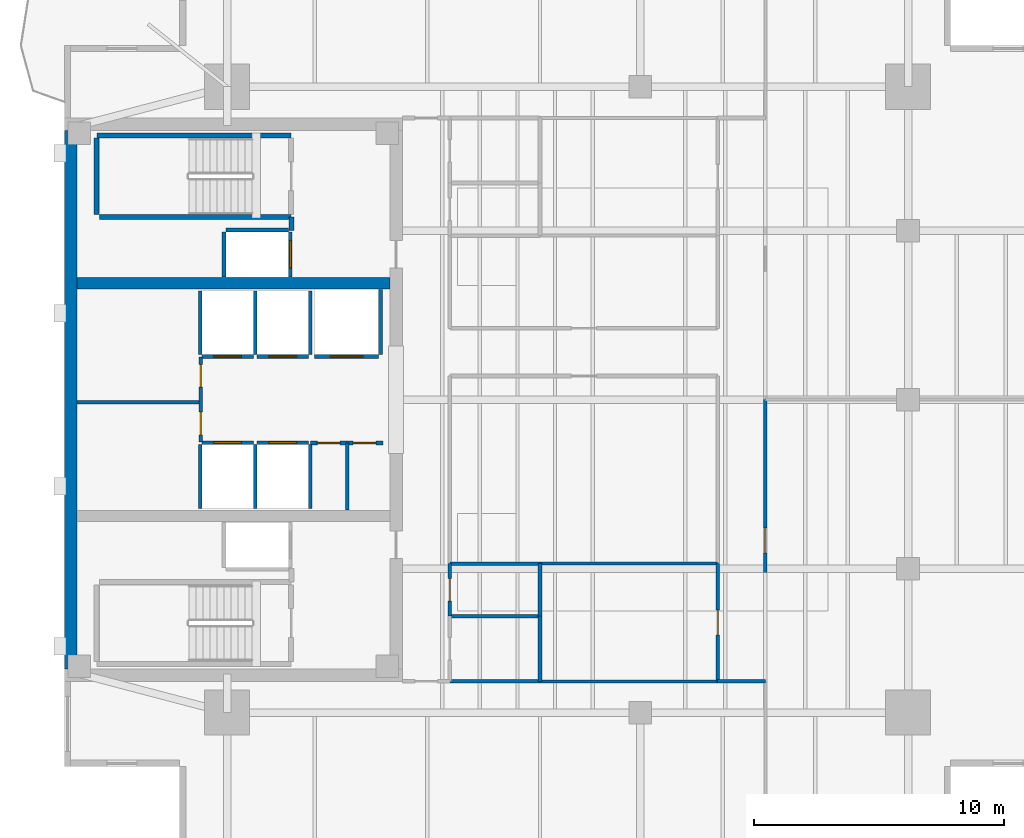
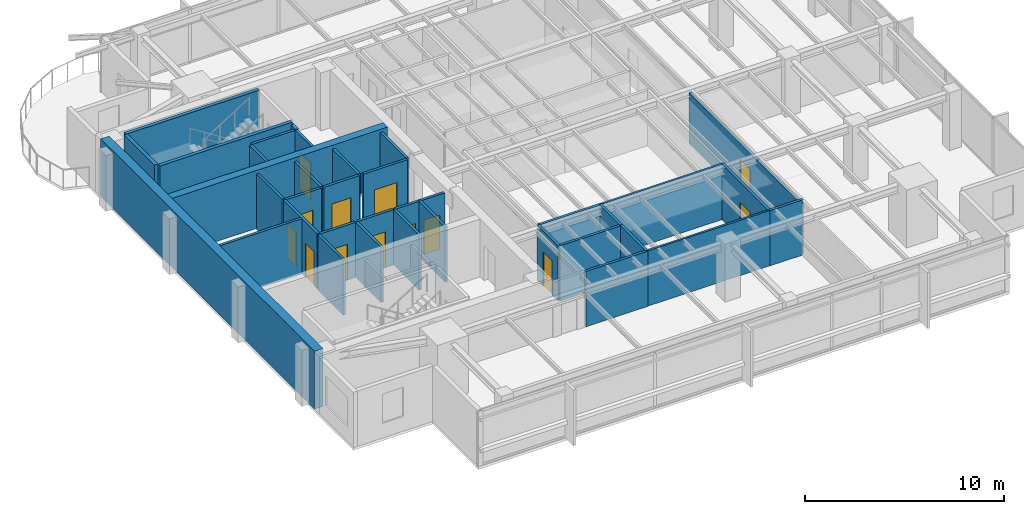
# One storey, part 8 of 14: 36 walls, 13 doors, 13 openings.
"""IFC4 building model written with IfcOpenShell, lengths in metres."""

from ifc_helpers import new_model, si_unit, direction, frame, frame_2d, origin, place, context, subcontext, project, spatial, rectangle, extrude, material, layer, layer_set, type_object, element, fill, save


model = new_model("IFC4")

# Units and contexts
model_context = context("Model", 3, precision=1e-05, world=origin(), true_north=direction((0.0, 1.0)))
body_context = subcontext(model_context, "Body", "Model", "MODEL_VIEW")
ifc_project = project(units=[si_unit("LENGTHUNIT", "METRE"), si_unit("AREAUNIT", "SQUARE_METRE"), si_unit("VOLUMEUNIT", "CUBIC_METRE"), si_unit("PLANEANGLEUNIT", "RADIAN"), si_unit("MASSUNIT", "GRAM", prefix="KILO")], contexts=[model_context])

# Site, building, storey
site_placement = place(None, origin())
site = spatial("IfcSite", under=ifc_project, at=site_placement, CompositionType="ELEMENT")
building_placement = place(site_placement, origin())
building = spatial("IfcBuilding", under=site, at=building_placement, Name="Kinhvarn Gate Tower", CompositionType="ELEMENT")
storey_placement = place(building_placement, frame((0.0, 0.0, 267.0)))
storey = spatial("IfcBuildingStorey", under=building, at=storey_placement, Name="L71", CompositionType="ELEMENT", Elevation=267.0)

# Walls
ifc_material_1 = material(Name="Concrete C50/60", Category="concrete")
ifc_layer_1 = layer(ifc_material_1, 0.449951171875)
ifc_layer_set_1 = layer_set([ifc_layer_1], Name="Concrete C50/60")
wall_type_1 = type_object("IfcWallType", Name="WL-CORE-450", PredefinedType="SHEAR", material=ifc_layer_set_1)
wall_1_placement = place(storey_placement, frame((5.0, 29.89990234375, 0.0), z_axis=(0.0, 0.0, 1.0), x_axis=(1.0, 0.0, 0.0)))
element("IfcWall", 1, at=wall_1_placement, inside=storey, type_object=wall_type_1, Name="Core North Spine Shear Wall L71 450 mm", PredefinedType="SHEAR", context=body_context, shape_type="SweptSolid", body=[
    extrude(rectangle(XDim=12.5, YDim=0.449951171875, at=frame_2d((6.25, 0.0))), origin(), (0.0, 0.0, 1.0), 3.550048828125),
])
ifc_layer_2 = layer(ifc_material_1, 0.5)
ifc_layer_set_2 = layer_set([ifc_layer_2], Name="Concrete C50/60")
wall_type_2 = type_object("IfcWallType", Name="WL-COREX-500", PredefinedType="SHEAR", material=ifc_layer_set_2)
wall_2_placement = place(storey_placement, frame((4.75, 14.5, 0.0), z_axis=(0.0, 0.0, 1.0), x_axis=(0.0, 1.0, 0.0)))
element("IfcWall", 2, at=wall_2_placement, inside=storey, type_object=wall_type_2, Name="Core West Shear Wall L71 500 mm", PredefinedType="SHEAR", context=body_context, shape_type="SweptSolid", body=[
    extrude(rectangle(XDim=21.5, YDim=0.5, at=frame_2d((10.75, 0.0))), origin(), (0.0, 0.0, 1.0), 3.550048828125),
])
ifc_material_2 = material(Name="Gypsum acoustic partition board")
ifc_layer_3 = layer(ifc_material_2, 0.14990234375)
ifc_layer_set_3 = layer_set([ifc_layer_3], Name="Gypsum acoustic partition board")
wall_type_3 = type_object("IfcWallType", Name="WL-PLM-150", PredefinedType="PLUMBINGWALL", material=ifc_layer_set_3)
wall_3_placement = place(storey_placement, frame((19.89990234375, 16.60009765625, 0.0), z_axis=(0.0, 0.0, 1.0), x_axis=(1.0, 0.0, 0.0)))
element("IfcWall", 3, at=wall_3_placement, inside=storey, type_object=wall_type_3, Name="Interior Partition PLW-150 (L71)", PredefinedType="PLUMBINGWALL", context=body_context, shape_type="SweptSolid", body=[
    extrude(rectangle(XDim=3.60009765625, YDim=0.14990234375, at=frame_2d((1.800048828125, 0.0))), origin(), (0.0, 0.0, 1.0), 3.389892578125),
])
wall_4_placement = place(storey_placement, frame((23.5, 14.0, 0.0), z_axis=(0.0, 0.0, 1.0), x_axis=(0.0, 1.0, 0.0)))
element("IfcWall", 4, at=wall_4_placement, inside=storey, type_object=wall_type_3, Name="Interior Partition PLW-150 (L71)", PredefinedType="PLUMBINGWALL", context=body_context, shape_type="SweptSolid", body=[
    extrude(rectangle(XDim=2.60009765625, YDim=0.14990234375, at=frame_2d((1.300048828125, 0.0))), origin(), (0.0, 0.0, 1.0), 3.389892578125),
])
wall_5_placement = place(storey_placement, frame((19.89990234375, 14.0, 0.0), z_axis=(0.0, 0.0, 1.0), x_axis=(1.0, 0.0, 0.0)))
element("IfcWall", 5, at=wall_5_placement, inside=storey, type_object=wall_type_3, Name="Interior Partition PLW-150 (L71)", PredefinedType="PLUMBINGWALL", context=body_context, shape_type="SweptSolid", body=[
    extrude(rectangle(XDim=3.60009765625, YDim=0.14990234375, at=frame_2d((1.800048828125, 0.0))), origin(), (0.0, 0.0, 1.0), 3.389892578125),
])
wall_6_placement = place(storey_placement, frame((23.5, 16.60009765625, 0.0), z_axis=(0.0, 0.0, 1.0), x_axis=(0.0, 1.0, 0.0)))
element("IfcWall", 6, at=wall_6_placement, inside=storey, type_object=wall_type_3, Name="Interior Partition PLW-150 (L71)", PredefinedType="PLUMBINGWALL", context=body_context, shape_type="SweptSolid", body=[
    extrude(rectangle(XDim=2.099853515625, YDim=0.14990234375, at=frame_2d((1.0498046875, 0.0))), origin(), (0.0, 0.0, 1.0), 3.389892578125),
])
wall_7_placement = place(storey_placement, frame((19.89990234375, 18.699951171875, 0.0), z_axis=(0.0, 0.0, 1.0), x_axis=(1.0, 0.0, 0.0)))
element("IfcWall", 7, at=wall_7_placement, inside=storey, type_object=wall_type_3, Name="Interior Partition PLW-150 (L71)", PredefinedType="PLUMBINGWALL", context=body_context, shape_type="SweptSolid", body=[
    extrude(rectangle(XDim=3.60009765625, YDim=0.14990234375, at=frame_2d((1.800048828125, 0.0))), origin(), (0.0, 0.0, 1.0), 3.389892578125),
])

# Wall, opening, door
ifc_layer_4 = layer(ifc_material_2, 0.14990234375)
ifc_layer_set_4 = layer_set([ifc_layer_4], Name="Gypsum acoustic partition board")
wall_type_4 = type_object("IfcWallType", Name="WL-PLM-150F", PredefinedType="PLUMBINGWALL", material=ifc_layer_set_4)
wall_8_placement = place(storey_placement, frame((19.89990234375, 16.60009765625, 0.0), z_axis=(0.0, 0.0, 1.0), x_axis=(0.0, 1.0, 0.0)))
wall_8 = element("IfcWall", 8, at=wall_8_placement, inside=storey, type_object=wall_type_4, Name="Interior Partition PLW-150F (L71)", PredefinedType="PLUMBINGWALL", context=body_context, shape_type="SweptSolid", body=[
    extrude(rectangle(XDim=2.099853515625, YDim=0.14990234375, at=frame_2d((1.0498046875, 0.0))), origin(), (0.0, 0.0, 1.0), 3.389892578125),
])
opening_1_placement = place(wall_8_placement, frame((0.60009765625, 0.0, 0.0)))
opening_1 = element("IfcOpeningElement", 9, at=opening_1_placement, cuts=wall_8, Name="Opening FD-04", PredefinedType="OPENING", context=body_context, shape_type="SweptSolid", body=[
    extrude(rectangle(XDim=0.89990234375, YDim=2.10009765625, at=frame_2d((0.449951171875, 1.050048828125))), frame((0.0, 0.0849609375, 0.0), z_axis=(0.0, -1.0, 0.0), x_axis=(1.0, 0.0, 0.0)), (0.0, 0.0, 1.0), 0.169921875),
])
ifc_material_3 = material(Name="Anodised aluminium AW-6063", Category="aluminium")
door_type_1 = type_object("IfcDoorType", Name="DR-FD-900", OperationType="NOTDEFINED", PredefinedType="DOOR", material=ifc_material_3)
door_1_placement = place(opening_1_placement, origin())
door_1 = element("IfcDoor", 10, at=door_1_placement, inside=storey, type_object=door_type_1, Name="Rated Riser & Service Closet Fire Door 900x2100 mm (L71)", OperationType="SINGLE_SWING_RIGHT", OverallHeight=2.10009765625, OverallWidth=0.89990234375, PredefinedType="DOOR", context=body_context, shape_type="SweptSolid", body=[
    extrude(rectangle(XDim=0.89990234375, YDim=2.10009765625, at=frame_2d((0.449951171875, 1.050048828125))), frame((0.0, 0.02490234375, 0.0), z_axis=(0.0, -1.0, 0.0), x_axis=(1.0, 0.0, 0.0)), (0.0, 0.0, 1.0), 0.050048828125),
])
fill(opening_1, door_1)

# Walls
ifc_layer_5 = layer(ifc_material_2, 0.1201171875)
ifc_layer_set_5 = layer_set([ifc_layer_5], Name="Gypsum acoustic partition board")
wall_type_5 = type_object("IfcWallType", Name="WL-PRT-120", PredefinedType="PARTITIONING", material=ifc_layer_set_5)
for number, where, z_axis, x_axis, name in (
    (11, (23.5, 18.699951171875, 0.0), (0.0, 0.0, 1.0), (1.0, 0.0, 0.0), "Interior Partition PW-120 (L71)"),
    (12, (23.5, 14.0, 0.0), (0.0, 0.0, 1.0), (1.0, 0.0, 0.0), "Interior Partition PW-120 (L71)"),
):
    element("IfcWall", number, at=place(storey_placement, frame(where, z_axis=z_axis, x_axis=x_axis)), inside=storey, type_object=wall_type_5, Name=name, PredefinedType="PARTITIONING", context=body_context, shape_type="SweptSolid", body=[
        extrude(rectangle(XDim=7.10009765625, YDim=0.1201171875, at=frame_2d((3.550048828125, 0.0))), origin(), (0.0, 0.0, 1.0), 3.389892578125),
    ])
ifc_layer_6 = layer(ifc_material_2, 0.14990234375)
ifc_layer_set_6 = layer_set([ifc_layer_6], Name="Gypsum acoustic partition board")
wall_type_6 = type_object("IfcWallType", Name="WL-PRT-150F", PredefinedType="PARTITIONING", material=ifc_layer_set_6)
wall_9_placement = place(storey_placement, frame((5.0, 25.14990234375, 0.0), z_axis=(0.0, 0.0, 1.0), x_axis=(1.0, 0.0, 0.0)))
element("IfcWall", 13, at=wall_9_placement, inside=storey, type_object=wall_type_6, Name="Interior Partition PW-150F (L71)", PredefinedType="PARTITIONING", context=body_context, shape_type="SweptSolid", body=[
    extrude(rectangle(XDim=4.949951171875, YDim=0.14990234375, at=frame_2d((2.47509765625, 0.0))), origin(), (0.0, 0.0, 1.0), 3.389892578125),
])

# Wall, openings, doors
wall_10_placement = place(storey_placement, frame((9.949951171875, 23.550048828125, 0.0), z_axis=(0.0, 0.0, 1.0), x_axis=(0.0, 1.0, 0.0)))
wall_10 = element("IfcWall", 14, at=wall_10_placement, inside=storey, type_object=wall_type_6, Name="Interior Partition PW-150F (L71)", PredefinedType="PARTITIONING", context=body_context, shape_type="SweptSolid", body=[
    extrude(rectangle(XDim=3.39990234375, YDim=0.14990234375, at=frame_2d((1.699951171875, 0.0))), origin(), (0.0, 0.0, 1.0), 3.389892578125),
])
opening_2_placement = place(wall_10_placement, frame((0.298095703125, 0.0, 0.0)))
opening_2 = element("IfcOpeningElement", 15, at=opening_2_placement, cuts=wall_10, Name="Opening FD-04", PredefinedType="OPENING", context=body_context, shape_type="SweptSolid", body=[
    extrude(rectangle(XDim=0.89990234375, YDim=2.10009765625, at=frame_2d((0.449951171875, 1.050048828125))), frame((0.0, 0.0849609375, 0.0), z_axis=(0.0, -1.0, 0.0), x_axis=(1.0, 0.0, 0.0)), (0.0, 0.0, 1.0), 0.169921875),
])
opening_3_placement = place(wall_10_placement, frame((2.201904296875, 0.0, 0.0)))
opening_3 = element("IfcOpeningElement", 16, at=opening_3_placement, cuts=wall_10, Name="Opening FD-04", PredefinedType="OPENING", context=body_context, shape_type="SweptSolid", body=[
    extrude(rectangle(XDim=0.89990234375, YDim=2.10009765625, at=frame_2d((0.449951171875, 1.050048828125))), frame((0.0, 0.0849609375, 0.0), z_axis=(0.0, -1.0, 0.0), x_axis=(1.0, 0.0, 0.0)), (0.0, 0.0, 1.0), 0.169921875),
])
door_2_placement = place(opening_2_placement, origin())
door_2 = element("IfcDoor", 17, at=door_2_placement, inside=storey, type_object=door_type_1, Name="Rated Riser & Service Closet Fire Door 900x2100 mm (L71)", OperationType="SINGLE_SWING_RIGHT", OverallHeight=2.10009765625, OverallWidth=0.89990234375, PredefinedType="DOOR", context=body_context, shape_type="SweptSolid", body=[
    extrude(rectangle(XDim=0.89990234375, YDim=2.10009765625, at=frame_2d((0.449951171875, 1.050048828125))), frame((0.0, 0.02490234375, 0.0), z_axis=(0.0, -1.0, 0.0), x_axis=(1.0, 0.0, 0.0)), (0.0, 0.0, 1.0), 0.050048828125),
])
fill(opening_2, door_2)
door_3_placement = place(opening_3_placement, origin())
door_3 = element("IfcDoor", 18, at=door_3_placement, inside=storey, type_object=door_type_1, Name="Rated Riser & Service Closet Fire Door 900x2100 mm (L71)", OperationType="SINGLE_SWING_LEFT", OverallHeight=2.10009765625, OverallWidth=0.89990234375, PredefinedType="DOOR", context=body_context, shape_type="SweptSolid", body=[
    extrude(rectangle(XDim=0.89990234375, YDim=2.10009765625, at=frame_2d((0.449951171875, 1.050048828125))), frame((0.0, 0.02490234375, 0.0), z_axis=(0.0, -1.0, 0.0), x_axis=(1.0, 0.0, 0.0)), (0.0, 0.0, 1.0), 0.050048828125),
])
fill(opening_3, door_3)

# Wall
wall_11_placement = place(storey_placement, frame((15.800048828125, 20.85009765625, 0.0), z_axis=(0.0, 0.0, 1.0), x_axis=(0.0, 1.0, 0.0)))
element("IfcWall", 19, at=wall_11_placement, inside=storey, type_object=wall_type_6, Name="Interior Partition PW-150F (L71)", PredefinedType="PARTITIONING", context=body_context, shape_type="SweptSolid", body=[
    extrude(rectangle(XDim=2.669921875, YDim=0.14990234375, at=frame_2d((1.3349609375, 0.0))), origin(), (0.0, 0.0, 1.0), 3.389892578125),
])

# Wall, openings, doors
wall_12_placement = place(storey_placement, frame((14.330078125, 23.52001953125, 0.0), z_axis=(0.0, 0.0, 1.0), x_axis=(1.0, 0.0, 0.0)))
wall_12 = element("IfcWall", 20, at=wall_12_placement, inside=storey, type_object=wall_type_6, Name="Interior Partition PW-150F (L71)", PredefinedType="PARTITIONING", context=body_context, shape_type="SweptSolid", body=[
    extrude(rectangle(XDim=2.889892578125, YDim=0.14990234375, at=frame_2d((1.44482421875, 0.0))), origin(), (0.0, 0.0, 1.0), 3.389892578125),
])
opening_4_placement = place(wall_12_placement, frame((0.280029296875, 0.0, 0.0)))
opening_4 = element("IfcOpeningElement", 21, at=opening_4_placement, cuts=wall_12, Name="Opening FD-04", PredefinedType="OPENING", context=body_context, shape_type="SweptSolid", body=[
    extrude(rectangle(XDim=0.89990234375, YDim=2.10009765625, at=frame_2d((0.449951171875, 1.050048828125))), frame((0.0, 0.0849609375, 0.0), z_axis=(0.0, -1.0, 0.0), x_axis=(1.0, 0.0, 0.0)), (0.0, 0.0, 1.0), 0.169921875),
])
opening_5_placement = place(wall_12_placement, frame((1.7099609375, 0.0, 0.0)))
opening_5 = element("IfcOpeningElement", 22, at=opening_5_placement, cuts=wall_12, Name="Opening FD-04", PredefinedType="OPENING", context=body_context, shape_type="SweptSolid", body=[
    extrude(rectangle(XDim=0.89990234375, YDim=2.10009765625, at=frame_2d((0.449951171875, 1.050048828125))), frame((0.0, 0.0849609375, 0.0), z_axis=(0.0, -1.0, 0.0), x_axis=(1.0, 0.0, 0.0)), (0.0, 0.0, 1.0), 0.169921875),
])
door_4_placement = place(opening_4_placement, origin())
door_4 = element("IfcDoor", 23, at=door_4_placement, inside=storey, type_object=door_type_1, Name="Rated Riser & Service Closet Fire Door 900x2100 mm (L71)", OperationType="SINGLE_SWING_RIGHT", OverallHeight=2.10009765625, OverallWidth=0.89990234375, PredefinedType="DOOR", context=body_context, shape_type="SweptSolid", body=[
    extrude(rectangle(XDim=0.89990234375, YDim=2.10009765625, at=frame_2d((0.449951171875, 1.050048828125))), frame((0.0, 0.02490234375, 0.0), z_axis=(0.0, -1.0, 0.0), x_axis=(1.0, 0.0, 0.0)), (0.0, 0.0, 1.0), 0.050048828125),
])
fill(opening_4, door_4)
door_5_placement = place(opening_5_placement, origin())
door_5 = element("IfcDoor", 24, at=door_5_placement, inside=storey, type_object=door_type_1, Name="Rated Riser & Service Closet Fire Door 900x2100 mm (L71)", OperationType="SINGLE_SWING_LEFT", OverallHeight=2.10009765625, OverallWidth=0.89990234375, PredefinedType="DOOR", context=body_context, shape_type="SweptSolid", body=[
    extrude(rectangle(XDim=0.89990234375, YDim=2.10009765625, at=frame_2d((0.449951171875, 1.050048828125))), frame((0.0, 0.02490234375, 0.0), z_axis=(0.0, -1.0, 0.0), x_axis=(1.0, 0.0, 0.0)), (0.0, 0.0, 1.0), 0.050048828125),
])
fill(opening_5, door_5)

# Wall, opening, door
wall_13_placement = place(storey_placement, frame((30.60009765625, 14.0, 0.0), z_axis=(0.0, 0.0, 1.0), x_axis=(0.0, 1.0, 0.0)))
wall_13 = element("IfcWall", 25, at=wall_13_placement, inside=storey, type_object=wall_type_6, Name="Interior Partition PW-150F (L71)", PredefinedType="PARTITIONING", context=body_context, shape_type="SweptSolid", body=[
    extrude(rectangle(XDim=4.699951171875, YDim=0.14990234375, at=frame_2d((2.35009765625, 0.0))), origin(), (0.0, 0.0, 1.0), 3.389892578125),
])
opening_6_placement = place(wall_13_placement, frame((1.85009765625, 0.0, 0.0)))
opening_6 = element("IfcOpeningElement", 26, at=opening_6_placement, cuts=wall_13, Name="Opening ID-02", PredefinedType="OPENING", context=body_context, shape_type="SweptSolid", body=[
    extrude(rectangle(XDim=1.0, YDim=2.14990234375, at=frame_2d((0.5, 1.074951171875))), frame((0.0, 0.0849609375, 0.0), z_axis=(0.0, -1.0, 0.0), x_axis=(1.0, 0.0, 0.0)), (0.0, 0.0, 1.0), 0.169921875),
])
door_type_2 = type_object("IfcDoorType", Name="DR-INT-1000", OperationType="NOTDEFINED", PredefinedType="DOOR", material=ifc_material_3)
door_6_placement = place(opening_6_placement, origin())
door_6 = element("IfcDoor", 27, at=door_6_placement, inside=storey, type_object=door_type_2, Name="Standard Office & Meeting Room Door 1000x2150 mm (L71)", OperationType="SINGLE_SWING_RIGHT", OverallHeight=2.14990234375, OverallWidth=1.0, PredefinedType="DOOR", context=body_context, shape_type="SweptSolid", body=[
    extrude(rectangle(XDim=1.0, YDim=2.14990234375, at=frame_2d((0.5, 1.074951171875))), frame((0.0, 0.02490234375, 0.0), z_axis=(0.0, -1.0, 0.0), x_axis=(1.0, 0.0, 0.0)), (0.0, 0.0, 1.0), 0.050048828125),
])
fill(opening_6, door_6)

# Wall
wall_14_placement = place(storey_placement, frame((30.60009765625, 14.0, 0.0), z_axis=(0.0, 0.0, 1.0), x_axis=(1.0, 0.0, 0.0)))
element("IfcWall", 28, at=wall_14_placement, inside=storey, type_object=wall_type_6, Name="Interior Partition PW-150F (L71)", PredefinedType="PARTITIONING", context=body_context, shape_type="SweptSolid", body=[
    extrude(rectangle(XDim=1.89990234375, YDim=0.14990234375, at=frame_2d((0.949951171875, 0.0))), origin(), (0.0, 0.0, 1.0), 3.389892578125),
])

# Wall, opening, door
wall_15_placement = place(storey_placement, frame((32.5, 14.0, 0.0), z_axis=(0.0, 0.0, 1.0), x_axis=(0.0, 1.0, 0.0)))
wall_15 = element("IfcWall", 29, at=wall_15_placement, inside=storey, type_object=wall_type_6, Name="Interior Partition PW-150F (L71)", PredefinedType="PARTITIONING", context=body_context, shape_type="SweptSolid", body=[
    extrude(rectangle(XDim=11.25, YDim=0.14990234375, at=frame_2d((5.625, 0.0))), origin(), (0.0, 0.0, 1.0), 3.1201171875),
])
opening_7_placement = place(wall_15_placement, frame((5.125, 0.0, 0.0)))
opening_7 = element("IfcOpeningElement", 30, at=opening_7_placement, cuts=wall_15, Name="Opening ID-02", PredefinedType="OPENING", context=body_context, shape_type="SweptSolid", body=[
    extrude(rectangle(XDim=1.0, YDim=2.14990234375, at=frame_2d((0.5, 1.074951171875))), frame((0.0, 0.0849609375, 0.0), z_axis=(0.0, -1.0, 0.0), x_axis=(1.0, 0.0, 0.0)), (0.0, 0.0, 1.0), 0.169921875),
])
door_7_placement = place(opening_7_placement, origin())
door_7 = element("IfcDoor", 31, at=door_7_placement, inside=storey, type_object=door_type_2, Name="Standard Office & Meeting Room Door 1000x2150 mm (L71)", OperationType="SINGLE_SWING_RIGHT", OverallHeight=2.14990234375, OverallWidth=1.0, PredefinedType="DOOR", context=body_context, shape_type="SweptSolid", body=[
    extrude(rectangle(XDim=1.0, YDim=2.14990234375, at=frame_2d((0.5, 1.074951171875))), frame((0.0, 0.02490234375, 0.0), z_axis=(0.0, -1.0, 0.0), x_axis=(1.0, 0.0, 0.0)), (0.0, 0.0, 1.0), 0.050048828125),
])
fill(opening_7, door_7)

# Wall
ifc_layer_7 = layer(ifc_material_2, 0.199951171875)
ifc_layer_set_7 = layer_set([ifc_layer_7], Name="Gypsum acoustic partition board")
wall_type_7 = type_object("IfcWallType", Name="WL-PRT-200", PredefinedType="PARTITIONING", material=ifc_layer_set_7)
wall_16_placement = place(storey_placement, frame((13.580078125, 32.0, 0.0), z_axis=(0.0, 0.0, 1.0), x_axis=(0.0, 1.0, 0.0)))
element("IfcWall", 32, at=wall_16_placement, inside=storey, type_object=wall_type_7, Name="Interior Partition PW-200 (L71)", PredefinedType="PARTITIONING", context=body_context, shape_type="SweptSolid", body=[
    extrude(rectangle(XDim=0.5400390625, YDim=0.199951171875, at=frame_2d((0.27001953125, 0.0))), origin(), (0.0, 0.0, 1.0), 3.389892578125),
])

# Wall, opening, door
ifc_layer_8 = layer(ifc_material_2, 0.14990234375)
ifc_layer_set_8 = layer_set([ifc_layer_8], Name="Gypsum acoustic partition board")
wall_type_8 = type_object("IfcWallType", Name="WL-SHF-150", PredefinedType="PARTITIONING", material=ifc_layer_set_8)
wall_17_placement = place(storey_placement, frame((10.0, 23.52490234375, 0.0), z_axis=(0.0, 0.0, 1.0), x_axis=(1.0, 0.0, 0.0)))
wall_17 = element("IfcWall", 33, at=wall_17_placement, inside=storey, type_object=wall_type_8, Name="Elevator PH-09 Landing Wall (L71)", PredefinedType="PARTITIONING", context=body_context, shape_type="SweptSolid", body=[
    extrude(rectangle(XDim=2.050048828125, YDim=0.14990234375, at=frame_2d((1.02490234375, 0.0))), origin(), (0.0, 0.0, 1.0), 3.389892578125),
])
opening_8_placement = place(wall_17_placement, frame((0.47509765625, 0.0, 0.0)))
opening_8 = element("IfcOpeningElement", 34, at=opening_8_placement, cuts=wall_17, Name="Opening LD-01", PredefinedType="OPENING", context=body_context, shape_type="SweptSolid", body=[
    extrude(rectangle(XDim=1.10009765625, YDim=2.199951171875, at=frame_2d((0.550048828125, 1.10009765625))), frame((0.0, 0.0849609375, 0.0), z_axis=(0.0, -1.0, 0.0), x_axis=(1.0, 0.0, 0.0)), (0.0, 0.0, 1.0), 0.169921875),
])
door_type_3 = type_object("IfcDoorType", Name="DR-LND-PAS", OperationType="NOTDEFINED", PredefinedType="DOOR", material=ifc_material_3)
door_8_placement = place(opening_8_placement, origin())
door_8 = element("IfcDoor", 35, at=door_8_placement, inside=storey, type_object=door_type_3, Name="Elevator PH-09 Sliding Landing Door (L71)", OperationType="DOUBLE_DOOR_SLIDING", OverallHeight=2.199951171875, OverallWidth=1.10009765625, PredefinedType="DOOR", context=body_context, shape_type="SweptSolid", body=[
    extrude(rectangle(XDim=1.10009765625, YDim=2.199951171875, at=frame_2d((0.550048828125, 1.10009765625))), frame((0.0, 0.02490234375, 0.0), z_axis=(0.0, -1.0, 0.0), x_axis=(1.0, 0.0, 0.0)), (0.0, 0.0, 1.0), 0.050048828125),
])
fill(opening_8, door_8)

# Walls
for number, where, z_axis, x_axis, name in (
    (36, (9.925048828125, 20.89990234375, 0.0), (0.0, 0.0, 1.0), (0.0, 1.0, 0.0), "Elevator PH-09 Hoistway Wall W (L71)"),
    (37, (12.125, 20.89990234375, 0.0), (0.0, 0.0, 1.0), (0.0, 1.0, 0.0), "Elevator PH-09 Hoistway Wall E (L71)"),
):
    element("IfcWall", number, at=place(storey_placement, frame(where, z_axis=z_axis, x_axis=x_axis)), inside=storey, type_object=wall_type_8, Name=name, PredefinedType="PARTITIONING", context=body_context, shape_type="SweptSolid", body=[
        extrude(rectangle(XDim=2.550048828125, YDim=0.14990234375, at=frame_2d((1.27490234375, 0.0))), origin(), (0.0, 0.0, 1.0), 3.389892578125),
    ])

# Wall, opening, door
wall_18_placement = place(storey_placement, frame((12.199951171875, 23.52490234375, 0.0), z_axis=(0.0, 0.0, 1.0), x_axis=(1.0, 0.0, 0.0)))
wall_18 = element("IfcWall", 38, at=wall_18_placement, inside=storey, type_object=wall_type_8, Name="Elevator PH-10 Landing Wall (L71)", PredefinedType="PARTITIONING", context=body_context, shape_type="SweptSolid", body=[
    extrude(rectangle(XDim=2.050048828125, YDim=0.14990234375, at=frame_2d((1.02490234375, 0.0))), origin(), (0.0, 0.0, 1.0), 3.389892578125),
])
opening_9_placement = place(wall_18_placement, frame((0.47509765625, 0.0, 0.0)))
opening_9 = element("IfcOpeningElement", 39, at=opening_9_placement, cuts=wall_18, Name="Opening LD-01", PredefinedType="OPENING", context=body_context, shape_type="SweptSolid", body=[
    extrude(rectangle(XDim=1.10009765625, YDim=2.199951171875, at=frame_2d((0.550048828125, 1.10009765625))), frame((0.0, 0.0849609375, 0.0), z_axis=(0.0, -1.0, 0.0), x_axis=(1.0, 0.0, 0.0)), (0.0, 0.0, 1.0), 0.169921875),
])
door_9_placement = place(opening_9_placement, origin())
door_9 = element("IfcDoor", 40, at=door_9_placement, inside=storey, type_object=door_type_3, Name="Elevator PH-10 Sliding Landing Door (L71)", OperationType="DOUBLE_DOOR_SLIDING", OverallHeight=2.199951171875, OverallWidth=1.10009765625, PredefinedType="DOOR", context=body_context, shape_type="SweptSolid", body=[
    extrude(rectangle(XDim=1.10009765625, YDim=2.199951171875, at=frame_2d((0.550048828125, 1.10009765625))), frame((0.0, 0.02490234375, 0.0), z_axis=(0.0, -1.0, 0.0), x_axis=(1.0, 0.0, 0.0)), (0.0, 0.0, 1.0), 0.050048828125),
])
fill(opening_9, door_9)

# Wall
wall_19_placement = place(storey_placement, frame((14.324951171875, 20.89990234375, 0.0), z_axis=(0.0, 0.0, 1.0), x_axis=(0.0, 1.0, 0.0)))
element("IfcWall", 41, at=wall_19_placement, inside=storey, type_object=wall_type_8, Name="Elevator PH-10 Hoistway Wall E (L71)", PredefinedType="PARTITIONING", context=body_context, shape_type="SweptSolid", body=[
    extrude(rectangle(XDim=2.550048828125, YDim=0.14990234375, at=frame_2d((1.27490234375, 0.0))), origin(), (0.0, 0.0, 1.0), 3.389892578125),
])

# Wall, opening, door
wall_20_placement = place(storey_placement, frame((10.0, 26.97509765625, 0.0), z_axis=(0.0, 0.0, 1.0), x_axis=(1.0, 0.0, 0.0)))
wall_20 = element("IfcWall", 42, at=wall_20_placement, inside=storey, type_object=wall_type_8, Name="Elevator PH-11 Landing Wall (L71)", PredefinedType="PARTITIONING", context=body_context, shape_type="SweptSolid", body=[
    extrude(rectangle(XDim=2.050048828125, YDim=0.14990234375, at=frame_2d((1.02490234375, 0.0))), origin(), (0.0, 0.0, 1.0), 3.389892578125),
])
opening_10_placement = place(wall_20_placement, frame((0.47509765625, 0.0, 0.0)))
opening_10 = element("IfcOpeningElement", 43, at=opening_10_placement, cuts=wall_20, Name="Opening LD-01", PredefinedType="OPENING", context=body_context, shape_type="SweptSolid", body=[
    extrude(rectangle(XDim=1.10009765625, YDim=2.199951171875, at=frame_2d((0.550048828125, 1.10009765625))), frame((0.0, 0.0849609375, 0.0), z_axis=(0.0, -1.0, 0.0), x_axis=(1.0, 0.0, 0.0)), (0.0, 0.0, 1.0), 0.169921875),
])
door_10_placement = place(opening_10_placement, origin())
door_10 = element("IfcDoor", 44, at=door_10_placement, inside=storey, type_object=door_type_3, Name="Elevator PH-11 Sliding Landing Door (L71)", OperationType="DOUBLE_DOOR_SLIDING", OverallHeight=2.199951171875, OverallWidth=1.10009765625, PredefinedType="DOOR", context=body_context, shape_type="SweptSolid", body=[
    extrude(rectangle(XDim=1.10009765625, YDim=2.199951171875, at=frame_2d((0.550048828125, 1.10009765625))), frame((0.0, 0.02490234375, 0.0), z_axis=(0.0, -1.0, 0.0), x_axis=(1.0, 0.0, 0.0)), (0.0, 0.0, 1.0), 0.050048828125),
])
fill(opening_10, door_10)

# Walls
for number, where, z_axis, x_axis, name in (
    (45, (9.925048828125, 27.050048828125, 0.0), (0.0, 0.0, 1.0), (0.0, 1.0, 0.0), "Elevator PH-11 Hoistway Wall W (L71)"),
    (46, (12.125, 27.050048828125, 0.0), (0.0, 0.0, 1.0), (0.0, 1.0, 0.0), "Elevator PH-11 Hoistway Wall E (L71)"),
):
    element("IfcWall", number, at=place(storey_placement, frame(where, z_axis=z_axis, x_axis=x_axis)), inside=storey, type_object=wall_type_8, Name=name, PredefinedType="PARTITIONING", context=body_context, shape_type="SweptSolid", body=[
        extrude(rectangle(XDim=2.550048828125, YDim=0.14990234375, at=frame_2d((1.27490234375, 0.0))), origin(), (0.0, 0.0, 1.0), 3.389892578125),
    ])

# Wall, opening, door
wall_21_placement = place(storey_placement, frame((12.199951171875, 26.97509765625, 0.0), z_axis=(0.0, 0.0, 1.0), x_axis=(1.0, 0.0, 0.0)))
wall_21 = element("IfcWall", 47, at=wall_21_placement, inside=storey, type_object=wall_type_8, Name="Elevator PH-12 Landing Wall (L71)", PredefinedType="PARTITIONING", context=body_context, shape_type="SweptSolid", body=[
    extrude(rectangle(XDim=2.050048828125, YDim=0.14990234375, at=frame_2d((1.02490234375, 0.0))), origin(), (0.0, 0.0, 1.0), 3.389892578125),
])
opening_11_placement = place(wall_21_placement, frame((0.47509765625, 0.0, 0.0)))
opening_11 = element("IfcOpeningElement", 48, at=opening_11_placement, cuts=wall_21, Name="Opening LD-01", PredefinedType="OPENING", context=body_context, shape_type="SweptSolid", body=[
    extrude(rectangle(XDim=1.10009765625, YDim=2.199951171875, at=frame_2d((0.550048828125, 1.10009765625))), frame((0.0, 0.0849609375, 0.0), z_axis=(0.0, -1.0, 0.0), x_axis=(1.0, 0.0, 0.0)), (0.0, 0.0, 1.0), 0.169921875),
])
door_11_placement = place(opening_11_placement, origin())
door_11 = element("IfcDoor", 49, at=door_11_placement, inside=storey, type_object=door_type_3, Name="Elevator PH-12 Sliding Landing Door (L71)", OperationType="DOUBLE_DOOR_SLIDING", OverallHeight=2.199951171875, OverallWidth=1.10009765625, PredefinedType="DOOR", context=body_context, shape_type="SweptSolid", body=[
    extrude(rectangle(XDim=1.10009765625, YDim=2.199951171875, at=frame_2d((0.550048828125, 1.10009765625))), frame((0.0, 0.02490234375, 0.0), z_axis=(0.0, -1.0, 0.0), x_axis=(1.0, 0.0, 0.0)), (0.0, 0.0, 1.0), 0.050048828125),
])
fill(opening_11, door_11)

# Wall
wall_22_placement = place(storey_placement, frame((14.324951171875, 27.050048828125, 0.0), z_axis=(0.0, 0.0, 1.0), x_axis=(0.0, 1.0, 0.0)))
element("IfcWall", 50, at=wall_22_placement, inside=storey, type_object=wall_type_8, Name="Elevator PH-12 Hoistway Wall E (L71)", PredefinedType="PARTITIONING", context=body_context, shape_type="SweptSolid", body=[
    extrude(rectangle(XDim=2.550048828125, YDim=0.14990234375, at=frame_2d((1.27490234375, 0.0))), origin(), (0.0, 0.0, 1.0), 3.389892578125),
])

# Wall, opening, door
wall_23_placement = place(storey_placement, frame((14.5, 26.97509765625, 0.0), z_axis=(0.0, 0.0, 1.0), x_axis=(1.0, 0.0, 0.0)))
wall_23 = element("IfcWall", 51, at=wall_23_placement, inside=storey, type_object=wall_type_8, Name="Elevator SV-01 Landing Wall (L71)", PredefinedType="PARTITIONING", context=body_context, shape_type="SweptSolid", body=[
    extrude(rectangle(XDim=2.550048828125, YDim=0.14990234375, at=frame_2d((1.27490234375, 0.0))), origin(), (0.0, 0.0, 1.0), 3.389892578125),
])
opening_12_placement = place(wall_23_placement, frame((0.625, 0.0, 0.0)))
opening_12 = element("IfcOpeningElement", 52, at=opening_12_placement, cuts=wall_23, Name="Opening LD-02", PredefinedType="OPENING", context=body_context, shape_type="SweptSolid", body=[
    extrude(rectangle(XDim=1.300048828125, YDim=2.199951171875, at=frame_2d((0.64990234375, 1.10009765625))), frame((0.0, 0.0849609375, 0.0), z_axis=(0.0, -1.0, 0.0), x_axis=(1.0, 0.0, 0.0)), (0.0, 0.0, 1.0), 0.169921875),
])
door_type_4 = type_object("IfcDoorType", Name="DR-LND-SRV", OperationType="NOTDEFINED", PredefinedType="DOOR", material=ifc_material_3)
door_12_placement = place(opening_12_placement, origin())
door_12 = element("IfcDoor", 53, at=door_12_placement, inside=storey, type_object=door_type_4, Name="Elevator SV-01 Sliding Landing Door (L71)", OperationType="DOUBLE_DOOR_SLIDING", OverallHeight=2.199951171875, OverallWidth=1.300048828125, PredefinedType="DOOR", context=body_context, shape_type="SweptSolid", body=[
    extrude(rectangle(XDim=1.300048828125, YDim=2.199951171875, at=frame_2d((0.64990234375, 1.10009765625))), frame((0.0, 0.02490234375, 0.0), z_axis=(0.0, -1.0, 0.0), x_axis=(1.0, 0.0, 0.0)), (0.0, 0.0, 1.0), 0.050048828125),
])
fill(opening_12, door_12)

# Walls
wall_24_placement = place(storey_placement, frame((17.125, 27.050048828125, 0.0), z_axis=(0.0, 0.0, 1.0), x_axis=(0.0, 1.0, 0.0)))
element("IfcWall", 54, at=wall_24_placement, inside=storey, type_object=wall_type_8, Name="Elevator SV-01 Hoistway Wall E (L71)", PredefinedType="PARTITIONING", context=body_context, shape_type="SweptSolid", body=[
    extrude(rectangle(XDim=2.599853515625, YDim=0.14990234375, at=frame_2d((1.2998046875, 0.0))), origin(), (0.0, 0.0, 1.0), 3.389892578125),
])
wall_25_placement = place(storey_placement, frame((10.949951171875, 32.02490234375, 0.0), z_axis=(0.0, 0.0, 1.0), x_axis=(1.0, 0.0, 0.0)))
element("IfcWall", 55, at=wall_25_placement, inside=storey, type_object=wall_type_8, Name="Elevator FF2 Hoistway Wall N (L71)", PredefinedType="PARTITIONING", context=body_context, shape_type="SweptSolid", body=[
    extrude(rectangle(XDim=2.5, YDim=0.14990234375, at=frame_2d((1.25, 0.0))), origin(), (0.0, 0.0, 1.0), 3.389892578125),
])
wall_26_placement = place(storey_placement, frame((10.875, 30.14990234375, 0.0), z_axis=(0.0, 0.0, 1.0), x_axis=(0.0, 1.0, 0.0)))
element("IfcWall", 56, at=wall_26_placement, inside=storey, type_object=wall_type_8, Name="Elevator FF2 Hoistway Wall W (L71)", PredefinedType="PARTITIONING", context=body_context, shape_type="SweptSolid", body=[
    extrude(rectangle(XDim=1.800048828125, YDim=0.14990234375, at=frame_2d((0.89990234375, 0.0))), origin(), (0.0, 0.0, 1.0), 3.389892578125),
])

# Wall, opening, door
wall_27_placement = place(storey_placement, frame((13.52490234375, 30.14990234375, 0.0), z_axis=(0.0, 0.0, 1.0), x_axis=(0.0, 1.0, 0.0)))
wall_27 = element("IfcWall", 57, at=wall_27_placement, inside=storey, type_object=wall_type_8, Name="Elevator FF2 Landing Wall (L71)", PredefinedType="PARTITIONING", context=body_context, shape_type="SweptSolid", body=[
    extrude(rectangle(XDim=1.800048828125, YDim=0.14990234375, at=frame_2d((0.89990234375, 0.0))), origin(), (0.0, 0.0, 1.0), 3.389892578125),
])
opening_13_placement = place(wall_27_placement, frame((0.35009765625, 0.0, 0.0)))
opening_13 = element("IfcOpeningElement", 58, at=opening_13_placement, cuts=wall_27, Name="Opening LD-03", PredefinedType="OPENING", context=body_context, shape_type="SweptSolid", body=[
    extrude(rectangle(XDim=1.10009765625, YDim=2.199951171875, at=frame_2d((0.550048828125, 1.10009765625))), frame((0.0, 0.0849609375, 0.0), z_axis=(0.0, -1.0, 0.0), x_axis=(1.0, 0.0, 0.0)), (0.0, 0.0, 1.0), 0.169921875),
])
door_type_5 = type_object("IfcDoorType", Name="DR-LND-FF", OperationType="NOTDEFINED", PredefinedType="DOOR", material=ifc_material_3)
door_13_placement = place(opening_13_placement, origin())
door_13 = element("IfcDoor", 59, at=door_13_placement, inside=storey, type_object=door_type_5, Name="Elevator FF2 Sliding Landing Door (L71)", OperationType="DOUBLE_DOOR_SLIDING", OverallHeight=2.199951171875, OverallWidth=1.10009765625, PredefinedType="DOOR", context=body_context, shape_type="SweptSolid", body=[
    extrude(rectangle(XDim=1.10009765625, YDim=2.199951171875, at=frame_2d((0.550048828125, 1.10009765625))), frame((0.0, 0.02490234375, 0.0), z_axis=(0.0, -1.0, 0.0), x_axis=(1.0, 0.0, 0.0)), (0.0, 0.0, 1.0), 0.050048828125),
])
fill(opening_13, door_13)

# Walls
ifc_material_4 = material(Name="Concrete C40/50", Category="concrete")
ifc_layer_9 = layer(ifc_material_4, 0.199951171875)
ifc_layer_set_9 = layer_set([ifc_layer_9], Name="Concrete C40/50")
wall_type_9 = type_object("IfcWallType", Name="WL-SHF-200", PredefinedType="SOLIDWALL", material=ifc_layer_set_9)
wall_28_placement = place(storey_placement, frame((5.800048828125, 35.800048828125, 0.0), z_axis=(0.0, 0.0, 1.0), x_axis=(1.0, 0.0, 0.0)))
element("IfcWall", 60, at=wall_28_placement, inside=storey, type_object=wall_type_9, Name="Stair ST2 North Shaft Wall (L71)", PredefinedType="SOLIDWALL", context=body_context, shape_type="SweptSolid", body=[
    extrude(rectangle(XDim=7.75, YDim=0.199951171875, at=frame_2d((3.875, 0.0))), origin(), (0.0, 0.0, 1.0), 3.550048828125),
])
wall_29_placement = place(storey_placement, frame((5.7900390625, 32.64990234375, 0.0), z_axis=(0.0, 0.0, 1.0), x_axis=(0.0, 1.0, 0.0)))
element("IfcWall", 61, at=wall_29_placement, inside=storey, type_object=wall_type_9, Name="Stair ST2 West Shaft Wall (L71)", PredefinedType="SOLIDWALL", context=body_context, shape_type="SweptSolid", body=[
    extrude(rectangle(XDim=3.050048828125, YDim=0.199951171875, at=frame_2d((1.52490234375, 0.0))), origin(), (0.0, 0.0, 1.0), 3.550048828125),
])
wall_30_placement = place(storey_placement, frame((5.89990234375, 32.5400390625, 0.0), z_axis=(0.0, 0.0, 1.0), x_axis=(1.0, 0.0, 0.0)))
element("IfcWall", 62, at=wall_30_placement, inside=storey, type_object=wall_type_9, Name="Stair ST2 South Shaft Wall (L71)", PredefinedType="SOLIDWALL", context=body_context, shape_type="SweptSolid", body=[
    extrude(rectangle(XDim=7.66015625, YDim=0.199951171875, at=frame_2d((3.830078125, 0.0))), origin(), (0.0, 0.0, 1.0), 3.550048828125),
])

save(model, "model.ifc")
